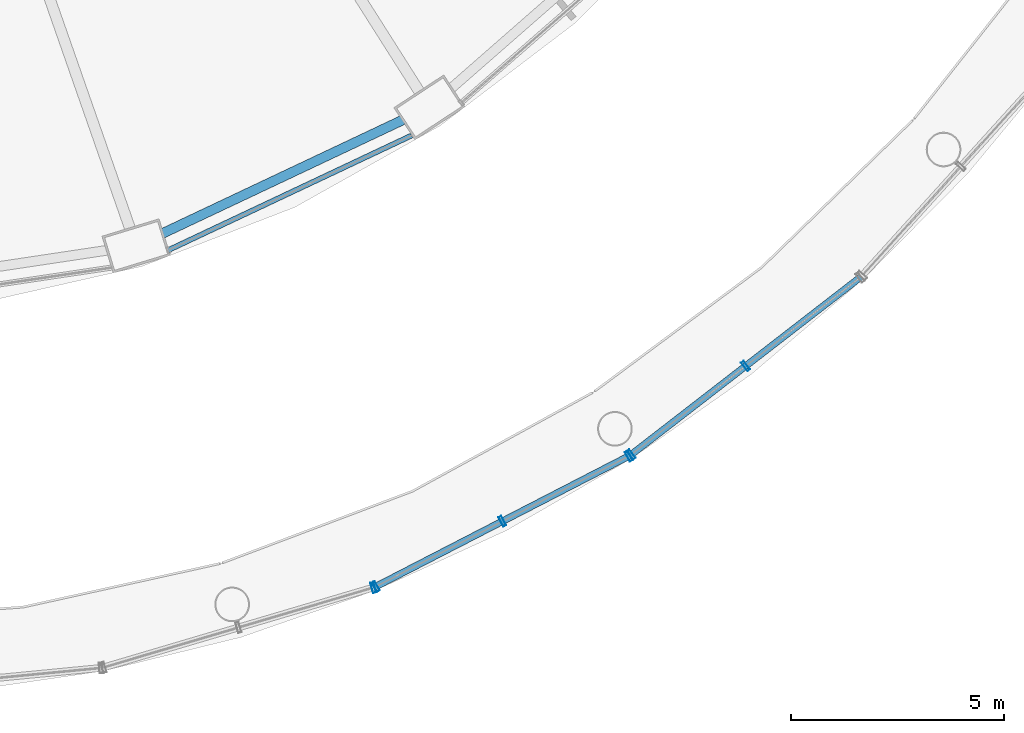
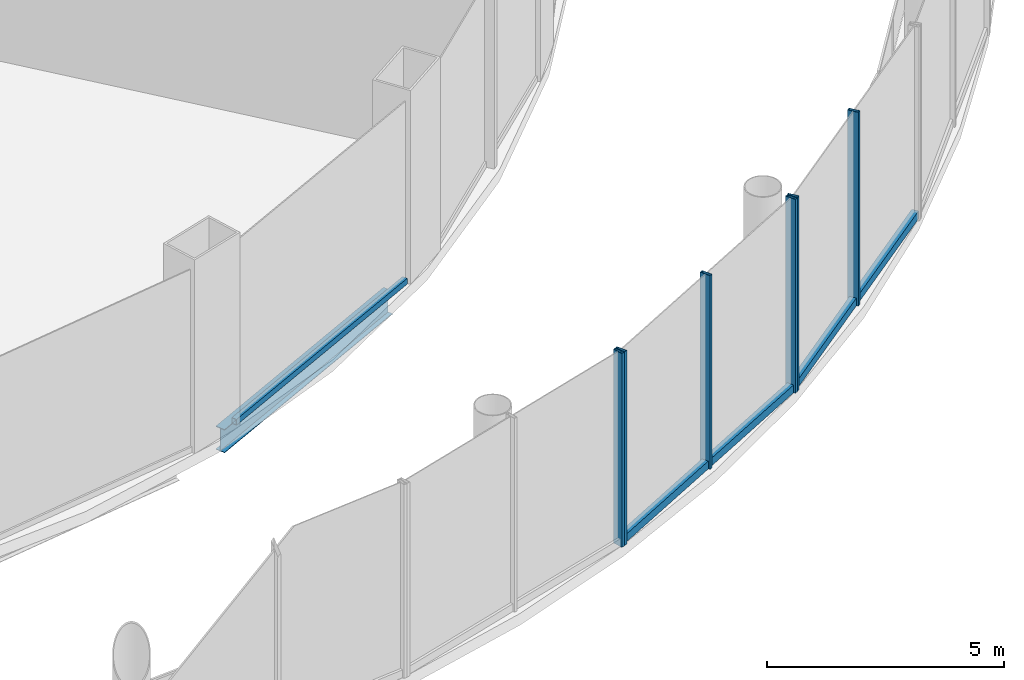
# One storey, part 10 of 47: 9 members, 1 beam, 4 elements without a shape of their own.
"""IFC4 building model written with IfcOpenShell, lengths in metres."""

from ifc_helpers import new_model, si_unit, direction, frame, origin, origin_2d, place, context, subcontext, project, spatial, hollow_rectangle, i_section, extrude, material, layer, layer_set, material_profile, profile_set, type_object, element, aggregate, save


model = new_model("IFC4")

# Units and contexts
model_context = context("Model", 3, precision=1e-05, world=origin(), true_north=direction((0.0, 1.0)))
body_context = subcontext(model_context, "Body", "Model", "MODEL_VIEW")
ifc_project = project(units=[si_unit("LENGTHUNIT", "METRE"), si_unit("AREAUNIT", "SQUARE_METRE"), si_unit("VOLUMEUNIT", "CUBIC_METRE"), si_unit("PLANEANGLEUNIT", "RADIAN"), si_unit("MASSUNIT", "GRAM", prefix="KILO")], contexts=[model_context])

# Site, building, storey
site_placement = place(None, origin())
site = spatial("IfcSite", under=ifc_project, at=site_placement, CompositionType="ELEMENT")
building_placement = place(site_placement, origin())
building = spatial("IfcBuilding", under=site, at=building_placement, Name="Nagisa Residences", CompositionType="ELEMENT")
storey_placement = place(building_placement, frame((0.0, 0.0, 17.0)))
storey = spatial("IfcBuildingStorey", under=building, at=storey_placement, Name="L03", CompositionType="ELEMENT", Elevation=17.0)

# Curtain wall, member
ifc_material_1 = material(Name="Stainless steel curtain wall system", Category="steel")
ifc_layer_1 = layer(ifc_material_1, 0.159912109375)
ifc_layer_set_1 = layer_set([ifc_layer_1], Name="CW3 CURTAIN WALL")
curtain_wall_type_1 = type_object("IfcCurtainWallType", Name="CW3 CURTAIN WALL", PredefinedType="NOTDEFINED", material=ifc_layer_set_1)
curtain_wall_1_placement = place(storey_placement, origin())
curtain_wall_1 = element("IfcCurtainWall", 1, at=curtain_wall_1_placement, inside=storey, type_object=curtain_wall_type_1, Name="cw:CW3:L03:28", PredefinedType="NOTDEFINED")
ifc_material_2 = material(Name="Stainless steel", Category="steel")
ifc_material_profile_1 = material_profile(ifc_material_2, hollow_rectangle(XDim=0.25, YDim=0.080078125, WallThickness=0.008056640625, at=origin_2d()), Name="CW3 MULLION 250x80")
ifc_profile_set_1 = profile_set([ifc_material_profile_1], Name="Stainless steel")
member_type_1 = type_object("IfcMemberType", Name="CW3 MULLION 250x80", PredefinedType="MULLION", material=ifc_profile_set_1)
member_1_placement = place(storey_placement, frame((16.53564453125, -39.40185546875, 0.0), z_axis=(0.0, 0.0, 1.0), x_axis=(-0.283963226669, 0.958835171393, 0.0)))
member_1 = element("IfcMember", 2, at=member_1_placement, type_object=member_type_1, Name="CW3 mullion", PredefinedType="MULLION", context=body_context, shape_type="SweptSolid", body=[
    extrude(hollow_rectangle(XDim=0.25, YDim=0.080078125, WallThickness=0.008056640625, at=origin_2d()), origin(), (0.0, 0.0, 1.0), 5.0),
])
aggregate(curtain_wall_1, [member_1])

# Curtain wall, members
curtain_wall_2_placement = place(storey_placement, origin())
curtain_wall_2 = element("IfcCurtainWall", 3, at=curtain_wall_2_placement, inside=storey, type_object=curtain_wall_type_1, Name="cw:CW3:L03:29", PredefinedType="NOTDEFINED")
member_2_placement = place(storey_placement, frame((16.595703125, -39.377685546875, 0.0), z_axis=(0.0, 0.0, 1.0), x_axis=(-0.45812598783, 0.888887270285, 0.0)))
member_2 = element("IfcMember", 4, at=member_2_placement, type_object=member_type_1, Name="CW3 mullion", PredefinedType="MULLION", context=body_context, shape_type="SweptSolid", body=[
    extrude(hollow_rectangle(XDim=0.25, YDim=0.080078125, WallThickness=0.008056640625, at=origin_2d()), origin(), (0.0, 0.0, 1.0), 5.0),
])
member_3_placement = place(storey_placement, frame((19.561767578125, -37.848876953125, 0.0), z_axis=(0.0, 0.0, 1.0), x_axis=(-0.45812598783, 0.888887270285, 0.0)))
member_3 = element("IfcMember", 5, at=member_3_placement, type_object=member_type_1, Name="CW3 mullion", PredefinedType="MULLION", context=body_context, shape_type="SweptSolid", body=[
    extrude(hollow_rectangle(XDim=0.25, YDim=0.080078125, WallThickness=0.008056640625, at=origin_2d()), origin(), (0.0, 0.0, 1.0), 5.0),
])
member_4_placement = place(storey_placement, frame((22.52783203125, -36.3203125, 0.0), z_axis=(0.0, 0.0, 1.0), x_axis=(-0.45812598783, 0.888887270285, 0.0)))
member_4 = element("IfcMember", 6, at=member_4_placement, type_object=member_type_1, Name="CW3 mullion", PredefinedType="MULLION", context=body_context, shape_type="SweptSolid", body=[
    extrude(hollow_rectangle(XDim=0.25, YDim=0.080078125, WallThickness=0.008056640625, at=origin_2d()), origin(), (0.0, 0.0, 1.0), 5.0),
])

curtain_wall_3_placement = place(storey_placement, origin())
curtain_wall_3 = element("IfcCurtainWall", 7, at=curtain_wall_3_placement, inside=storey, type_object=curtain_wall_type_1, Name="cw:CW3:L03:30", PredefinedType="NOTDEFINED")
member_5_placement = place(storey_placement, frame((22.582763671875, -36.285400390625, 0.0), z_axis=(0.0, 0.0, 1.0), x_axis=(-0.612034757172, 0.790830864353, 0.0)))
member_5 = element("IfcMember", 8, at=member_5_placement, type_object=member_type_1, Name="CW3 mullion", PredefinedType="MULLION", context=body_context, shape_type="SweptSolid", body=[
    extrude(hollow_rectangle(XDim=0.25, YDim=0.080078125, WallThickness=0.008056640625, at=origin_2d()), origin(), (0.0, 0.0, 1.0), 5.0),
])
member_6_placement = place(storey_placement, frame((25.263916015625, -34.210205078125, 0.0), z_axis=(0.0, 0.0, 1.0), x_axis=(-0.612034757172, 0.790830864353, 0.0)))
member_6 = element("IfcMember", 9, at=member_6_placement, type_object=member_type_1, Name="CW3 mullion", PredefinedType="MULLION", context=body_context, shape_type="SweptSolid", body=[
    extrude(hollow_rectangle(XDim=0.25, YDim=0.080078125, WallThickness=0.008056640625, at=origin_2d()), origin(), (0.0, 0.0, 1.0), 5.0),
])

# Member
ifc_material_3 = material(Name="Stainless steel", Category="steel")
ifc_material_profile_2 = material_profile(ifc_material_3, hollow_rectangle(XDim=0.159912109375, YDim=0.199951171875, WallThickness=0.008056640625, at=origin_2d()), Name="CW3 TRANSOM 160x200")
ifc_profile_set_2 = profile_set([ifc_material_profile_2], Name="Stainless steel")
member_type_2 = type_object("IfcMemberType", Name="CW3 TRANSOM 160x200", PredefinedType="USERDEFINED", material=ifc_profile_set_2)
member_7_placement = place(storey_placement, frame((16.56005859375, -39.39599609375, 0.10009765625), z_axis=(0.888887130152, 0.458126259726, 0.0), x_axis=(-0.458126259726, 0.888887130152, 0.0)))
member_7 = element("IfcMember", 10, at=member_7_placement, type_object=member_type_2, Name="CW3 transom", ObjectType="TRANSOM", PredefinedType="USERDEFINED", context=body_context, shape_type="SweptSolid", body=[
    extrude(hollow_rectangle(XDim=0.159912109375, YDim=0.199951171875, WallThickness=0.008056640625, at=origin_2d()), origin(), (0.0, 0.0, 1.0), 6.753662109375),
])

aggregate(curtain_wall_2, [member_2, member_3, member_4, member_7])

member_8_placement = place(storey_placement, frame((22.551025390625, -36.309814453125, 0.10009765625), z_axis=(0.790834819486, 0.612029646576, 0.0), x_axis=(-0.612029646576, 0.790834819486, 0.0)))
member_8 = element("IfcMember", 11, at=member_8_placement, type_object=member_type_2, Name="CW3 transom", ObjectType="TRANSOM", PredefinedType="USERDEFINED", context=body_context, shape_type="SweptSolid", body=[
    extrude(hollow_rectangle(XDim=0.159912109375, YDim=0.199951171875, WallThickness=0.008056640625, at=origin_2d()), origin(), (0.0, 0.0, 1.0), 6.861083984375),
])

aggregate(curtain_wall_3, [member_5, member_6, member_8])

# Curtain wall, member
ifc_material_4 = material(Name="Stainless steel curtain wall system", Category="steel")
ifc_layer_2 = layer(ifc_material_4, 0.159912109375)
ifc_layer_set_2 = layer_set([ifc_layer_2], Name="CW6 CURTAIN WALL")
curtain_wall_type_2 = type_object("IfcCurtainWallType", Name="CW6 CURTAIN WALL", PredefinedType="NOTDEFINED", material=ifc_layer_set_2)
curtain_wall_4_placement = place(storey_placement, origin())
curtain_wall_4 = element("IfcCurtainWall", 12, at=curtain_wall_4_placement, inside=storey, type_object=curtain_wall_type_2, Name="cw:CW6:L03:38", PredefinedType="NOTDEFINED")
ifc_material_5 = material(Name="Stainless steel", Category="steel")
ifc_material_profile_3 = material_profile(ifc_material_5, hollow_rectangle(XDim=0.1201171875, YDim=0.14990234375, WallThickness=0.008056640625, at=origin_2d()), Name="CW6 TRANSOM 120x150")
ifc_profile_set_3 = profile_set([ifc_material_profile_3], Name="Stainless steel")
member_type_3 = type_object("IfcMemberType", Name="CW6 TRANSOM 120x150", PredefinedType="USERDEFINED", material=ifc_profile_set_3)
member_9_placement = place(storey_placement, frame((11.704833984375, -31.504638671875, 0.074951171875), z_axis=(0.904558144684, 0.426350281911, 0.0), x_axis=(-0.426350281911, 0.904558144684, 0.0)))
member_9 = element("IfcMember", 13, at=member_9_placement, type_object=member_type_3, Name="CW6 transom", ObjectType="TRANSOM", PredefinedType="USERDEFINED", context=body_context, shape_type="SweptSolid", body=[
    extrude(hollow_rectangle(XDim=0.1201171875, YDim=0.14990234375, WallThickness=0.008056640625, at=origin_2d()), origin(), (0.0, 0.0, 1.0), 6.33203125),
])
aggregate(curtain_wall_4, [member_9])

# Beam
ifc_material_6 = material(Name="Steel ASTM A572 Gr 50", Category="steel")
ifc_material_profile_4 = material_profile(ifc_material_6, i_section(OverallWidth=0.22802734375, OverallDepth=0.60302734375, WebThickness=0.010498046875, FlangeThickness=0.014892578125, at=origin_2d()), Name="W610x101")
ifc_profile_set_4 = profile_set([ifc_material_profile_4], Name="Steel ASTM A572 Gr 50")
beam_type = type_object("IfcBeamType", Name="Perimeter ring beam W610x101", PredefinedType="BEAM", material=ifc_profile_set_4)
beam_placement = place(storey_placement, frame((11.597900390625, -31.098876953125, -0.6015625), z_axis=(0.904215426643, 0.427076646774, 0.0), x_axis=(-0.427076646774, 0.904215426643, 0.0)))
element("IfcBeam", 14, at=beam_placement, inside=storey, type_object=beam_type, Name="beam:L03:pb20", PredefinedType="BEAM", context=body_context, shape_type="SweptSolid", body=[
    extrude(i_section(OverallWidth=0.22802734375, OverallDepth=0.60302734375, WebThickness=0.010498046875, FlangeThickness=0.014892578125, at=origin_2d()), origin(), (0.0, 0.0, 1.0), 6.2275390625),
])

save(model, "model.ifc")
